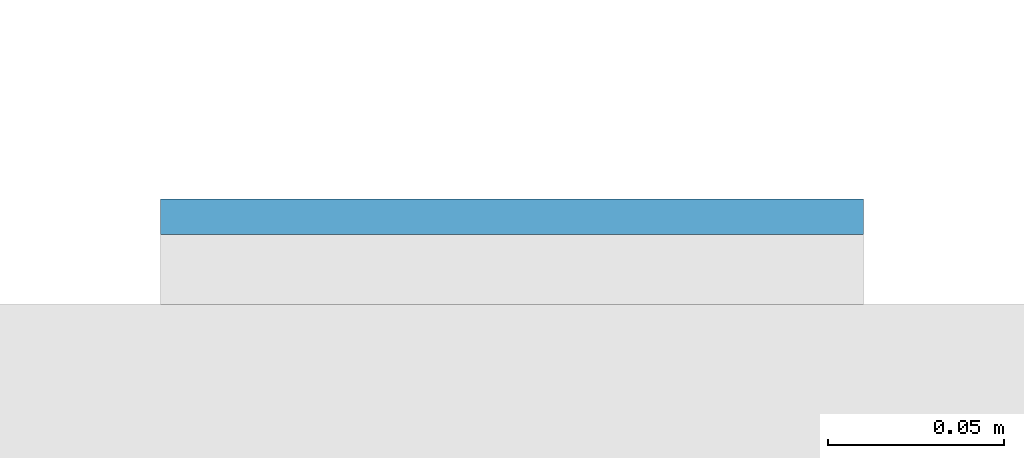
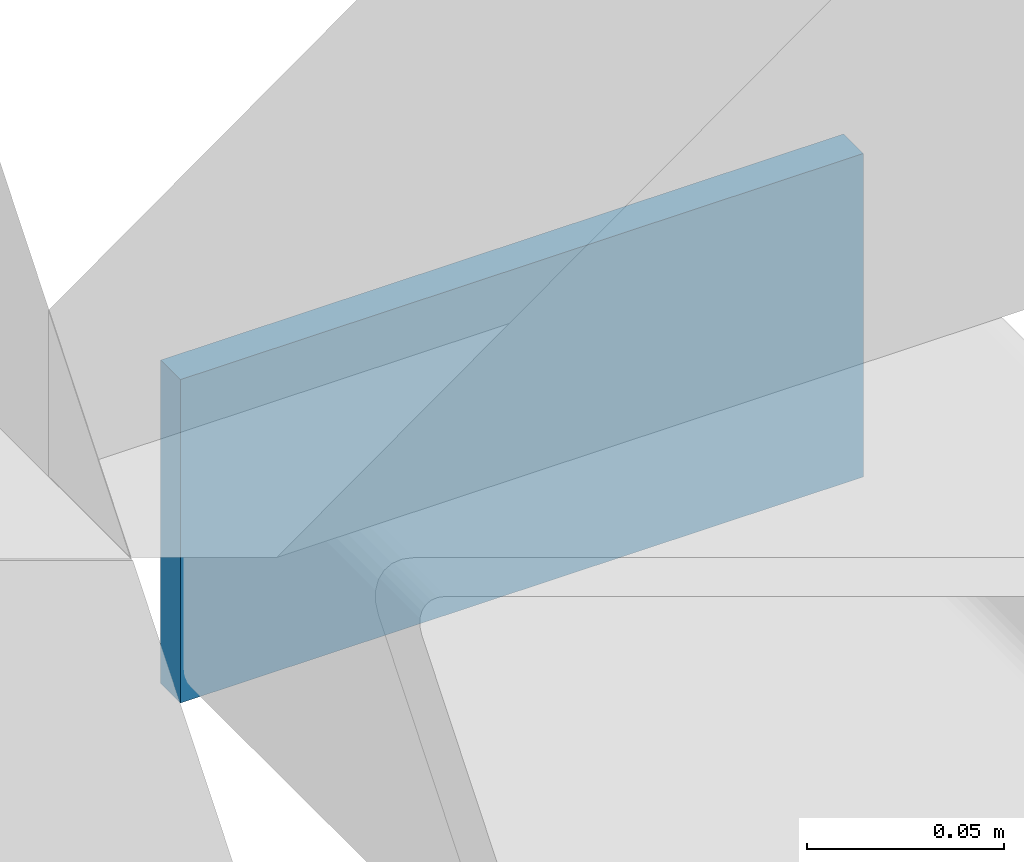
# One storey, part 11 of 20: 1 plate.
"""IFC4 building model written with IfcOpenShell, lengths in metres."""

import ifcopenshell
import ifcopenshell.guid

model = None  # the IFC model being written
_history = None  # IfcOwnerHistory: only IFC2X3 demands one
_inside = {}  # id of a spatial element -> (the spatial element, [elements in it])
_under = {}  # id of a project, library or spatial element -> (it, [spatial elements below it])
_declared = {}  # id of a project -> (the project, [libraries it declares])
_typed = {}  # id of a type object -> (the type object, [elements of that type])
_made_of = {}  # id of a material, layer set ... -> (it, [elements and type objects made of it])


def new_model(schema):
    """Start an empty IFC model of exactly this schema.

    Asked for "IFC4X3", IfcOpenShell would pick the latest addendum, in which some entities
    have other attributes; the version numbers below select the first issue.
    IFC2X3 requires an IfcOwnerHistory on every rooted entity: one is made here for all.
    """
    global model, _history
    if schema == "IFC4X3":
        model = ifcopenshell.file(schema_version=(4, 3, 0, 0))
    else:
        model = ifcopenshell.file(schema=schema)
    _inside.clear()
    _under.clear()
    _declared.clear()
    _typed.clear()
    _made_of.clear()
    _history = None
    if model.schema == "IFC2X3":
        org = make("IfcOrganization", Name="unknown")
        user = make(
            "IfcPersonAndOrganization",
            ThePerson=make("IfcPerson", FamilyName="unknown"),
            TheOrganization=org,
        )
        app = make(
            "IfcApplication",
            ApplicationDeveloper=org,
            Version="unknown",
            ApplicationFullName="unknown",
            ApplicationIdentifier="unknown",
        )
        _history = make(
            "IfcOwnerHistory",
            OwningUser=user,
            OwningApplication=app,
            ChangeAction="ADDED",
            CreationDate=0,
        )
    return model


def make(cls, **values):
    """One entity of the class cls with the attributes given. An attribute that is None is left unset."""
    return model.create_entity(
        cls, **{name: value for name, value in values.items() if value is not None}
    )


def rooted(cls, **values):
    """An entity with a GlobalId (a new one), such as an element, a storey or a relation."""
    return make(cls, GlobalId=ifcopenshell.guid.new(), OwnerHistory=_history, **values)


def si_unit(unit_type, name, prefix=None):
    """IfcSIUnit, for example si_unit("LENGTHUNIT", "METRE", prefix="MILLI")."""
    return make("IfcSIUnit", UnitType=unit_type, Prefix=prefix, Name=name)


def assignment(units):
    """IfcUnitAssignment: the units of a project."""
    return None if units is None else make("IfcUnitAssignment", Units=units)


def point(xyz):
    """IfcCartesianPoint."""
    return None if xyz is None else make("IfcCartesianPoint", Coordinates=xyz)


def direction(xyz):
    """IfcDirection."""
    return None if xyz is None else make("IfcDirection", DirectionRatios=xyz)


def frame(location, z_axis=None, x_axis=None):
    """IfcAxis2Placement3D, a coordinate frame: its origin and axes. An axis left out is left unset."""
    return make(
        "IfcAxis2Placement3D",
        Location=point(location),
        Axis=direction(z_axis),
        RefDirection=direction(x_axis),
    )


def frame_2d(location, x_axis=None):
    """IfcAxis2Placement2D, a coordinate frame in the plane: its origin and x axis."""
    return make(
        "IfcAxis2Placement2D", Location=point(location), RefDirection=direction(x_axis)
    )


def origin():
    """The frame at (0, 0, 0) with its axes left unset."""
    return frame((0.0, 0.0, 0.0))


def origin_2d():
    """The frame at (0, 0) in the plane with its x axis left unset."""
    return frame_2d((0.0, 0.0))


def place(relative_to, where):
    """IfcLocalPlacement: puts the frame where relative to a parent placement (None: the world)."""
    return make(
        "IfcLocalPlacement", PlacementRelTo=relative_to, RelativePlacement=where
    )


def context(
    kind, dimensions, precision=None, world=None, true_north=None, identifier=None
):
    """IfcGeometricRepresentationContext, for example the 3D "Model" context."""
    return make(
        "IfcGeometricRepresentationContext",
        ContextIdentifier=identifier,
        ContextType=kind,
        CoordinateSpaceDimension=dimensions,
        Precision=precision,
        WorldCoordinateSystem=world,
        TrueNorth=true_north,
    )


def subcontext(parent, identifier, kind, view, scale=None):
    """IfcGeometricRepresentationSubContext, for example "Body" below "Model"."""
    return make(
        "IfcGeometricRepresentationSubContext",
        ContextIdentifier=identifier,
        ContextType=kind,
        ParentContext=parent,
        TargetScale=scale,
        TargetView=view,
    )


def project(units=None, contexts=None):
    """IfcProject with its units and contexts."""
    return rooted(
        "IfcProject",
        Name="project",
        RepresentationContexts=contexts,
        UnitsInContext=assignment(units),
    )


def spatial(cls, under=None, at=None, **own):
    """A site, building, storey or space (cls), placed at a placement, below another one or the project."""
    s = rooted(cls, ObjectPlacement=at, **own)
    if under is not None:
        _under.setdefault(under.id(), (under, []))[1].append(s)
    return s


def profile(cls, at=None, kind="AREA", **sizes):
    """A parametric profile (cls). Its sizes go by their IFC names, for example OverallWidth=200.0."""
    return make(cls, ProfileType=kind, Position=at, **sizes)


def rectangle(**sizes):
    """IfcRectangleProfileDef."""
    return profile("IfcRectangleProfileDef", **sizes)


def extrude(swept, where, along, depth):
    """IfcExtrudedAreaSolid: the profile swept, set in the frame where, extruded along a direction by depth."""
    return make(
        "IfcExtrudedAreaSolid",
        SweptArea=swept,
        Position=where,
        ExtrudedDirection=direction(along),
        Depth=depth,
    )


def shape(context_of_items, identifier, shape_type, items):
    """IfcShapeRepresentation: the items that make up one representation, for example the "Body"."""
    return make(
        "IfcShapeRepresentation",
        ContextOfItems=context_of_items,
        RepresentationIdentifier=identifier,
        RepresentationType=shape_type,
        Items=items,
    )


def material(Name=None, Category=None):
    """IfcMaterial."""
    return make("IfcMaterial", Name=Name, Category=Category)


def layer(
    of_material, thickness, ventilated=None, Name=None, Category=None, Priority=None
):
    """IfcMaterialLayer: one layer of a wall or slab, of a material (None: an air gap)."""
    return make(
        "IfcMaterialLayer",
        Material=of_material,
        LayerThickness=thickness,
        IsVentilated=ventilated,
        Name=Name,
        Category=Category,
        Priority=Priority,
    )


def layer_set(layers, Name=None):
    """IfcMaterialLayerSet."""
    return make("IfcMaterialLayerSet", MaterialLayers=layers, LayerSetName=Name)


def made_of(thing, what):
    """Note that an element or type object is made of a material, layer set ...; save() writes the relation."""
    if what is not None:
        _made_of.setdefault(what.id(), (what, []))[1].append(thing)
    return thing


def type_object(cls, material=None, **own):
    """A type object (cls), such as IfcWallType, which elements share."""
    return made_of(rooted(cls, **own), material)


def element(
    cls,
    number,
    at=None,
    inside=None,
    cuts=None,
    type_object=None,
    material=None,
    context=None,
    identifier="Body",
    shape_type=None,
    held_by="IfcProductDefinitionShape",
    body=None,
    shapes=None,
    **own,
):
    """One element of the class cls, such as IfcWall. Its Tag is "e" and its number.

    at: its placement. inside: the storey or other place that contains it. cuts: it is an
    opening in that element (IfcRelVoidsElement). A single representation is given by context,
    identifier, shape_type and body (its items); several are given by shapes. held_by: the class
    of the entity that holds the representations. save() writes the other relations.
    """
    e = rooted(cls, Tag="e%d" % number, ObjectPlacement=at, **own)
    if body is not None:
        shapes = [shape(context, identifier, shape_type, body)]
    if shapes is not None:
        e.Representation = make(held_by, Representations=shapes)
    if inside is not None:
        _inside.setdefault(inside.id(), (inside, []))[1].append(e)
    if cuts is not None:
        rooted(
            "IfcRelVoidsElement", RelatingBuildingElement=cuts, RelatedOpeningElement=e
        )
    if type_object is not None:
        _typed.setdefault(type_object.id(), (type_object, []))[1].append(e)
    return made_of(e, material)


def aggregate(whole, parts):
    """IfcRelAggregates: a whole, such as a stair, and the parts it consists of."""
    return rooted("IfcRelAggregates", RelatingObject=whole, RelatedObjects=parts)


def save(model, path):
    """Write the relations noted so far, then the file.

    IfcRelAggregates (storeys below a building ...), IfcRelContainedInSpatialStructure (elements
    in a storey), IfcRelDefinesByType, IfcRelAssociatesMaterial and IfcRelDeclares: one each for
    every whole, place, type object, material and project.
    """
    for whole, parts in _under.values():
        aggregate(whole, parts)
    for where, things in _inside.values():
        rooted(
            "IfcRelContainedInSpatialStructure",
            RelatedElements=things,
            RelatingStructure=where,
        )
    for kind, things in _typed.values():
        rooted("IfcRelDefinesByType", RelatedObjects=things, RelatingType=kind)
    for what, things in _made_of.values():
        rooted("IfcRelAssociatesMaterial", RelatedObjects=things, RelatingMaterial=what)
    for by, libraries in _declared.values():
        rooted("IfcRelDeclares", RelatingContext=by, RelatedDefinitions=libraries)
    model.write(path)


model = new_model("IFC4")

# Units and contexts
model_context = context("Model", 3, precision=1e-05, world=origin(), true_north=direction((0.0, 1.0)))
body_context = subcontext(model_context, "Body", "Model", "MODEL_VIEW")
ifc_project = project(units=[si_unit("LENGTHUNIT", "METRE"), si_unit("AREAUNIT", "SQUARE_METRE"), si_unit("VOLUMEUNIT", "CUBIC_METRE"), si_unit("PLANEANGLEUNIT", "RADIAN"), si_unit("MASSUNIT", "GRAM", prefix="KILO")], contexts=[model_context])

# Site, building, storey
site_placement = place(None, origin())
site = spatial("IfcSite", under=ifc_project, at=site_placement, CompositionType="ELEMENT")
building_placement = place(site_placement, origin())
building = spatial("IfcBuilding", under=site, at=building_placement, Name="Cleftline Residences", CompositionType="ELEMENT")
storey_placement = place(building_placement, frame((0.0, 0.0, 40.39990234375)))
storey = spatial("IfcBuildingStorey", under=building, at=storey_placement, Name="L09", CompositionType="ELEMENT", Elevation=40.39990234375)

# Plate
ifc_material = material(Name="Steel S355, hot-dip galvanised", Category="steel")
ifc_layer = layer(ifc_material, 0.010009765625)
ifc_layer_set = layer_set([ifc_layer], Name="BAGUETTE CARRIER END PLATE 200X100X10")
plate_type = type_object("IfcPlateType", Name="BAGUETTE CARRIER END PLATE 200X100X10", PredefinedType="USERDEFINED", material=ifc_layer_set)
plate_placement = place(storey_placement, frame((66.85009765625, 44.304931640625, -0.099853515625), z_axis=(0.0, 0.0, 1.0), x_axis=(1.0, 0.0, 0.0)))
element("IfcPlate", 1, at=plate_placement, inside=storey, type_object=plate_type, Name="Baguette carrier end plate", ObjectType="BAGUETTE CARRIER END PLATE", PredefinedType="USERDEFINED", context=body_context, shape_type="SweptSolid", body=[
    extrude(rectangle(XDim=0.199951171875, YDim=0.010009765625, at=origin_2d()), origin(), (0.0, 0.0, 1.0), 0.10009765625),
])

save(model, "model.ifc")
